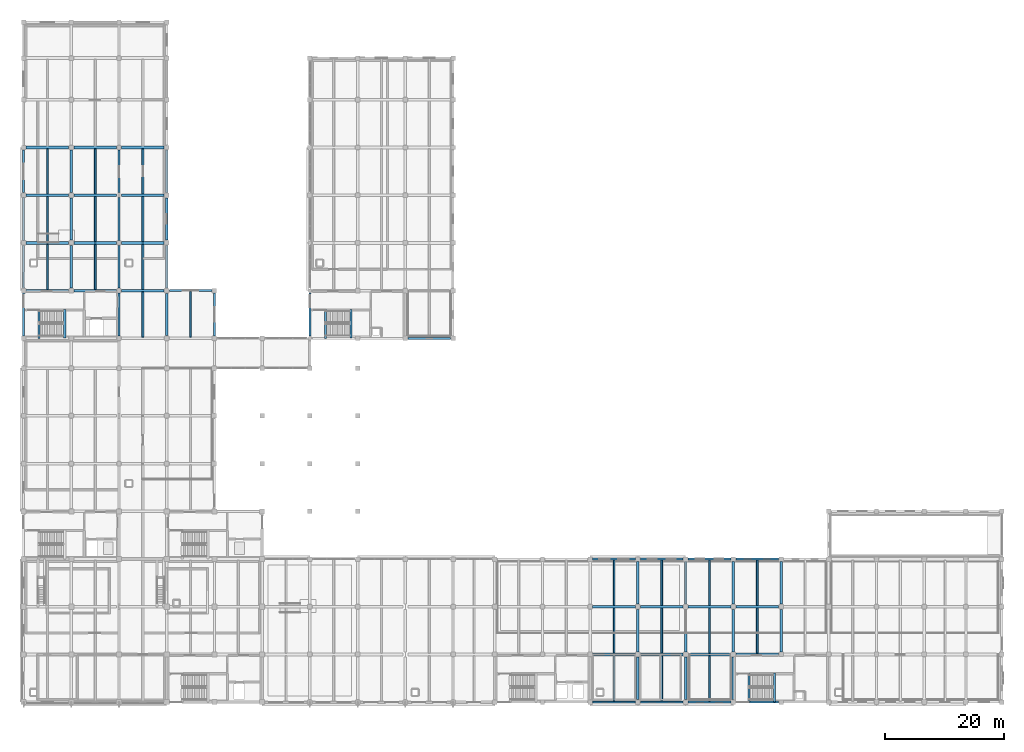
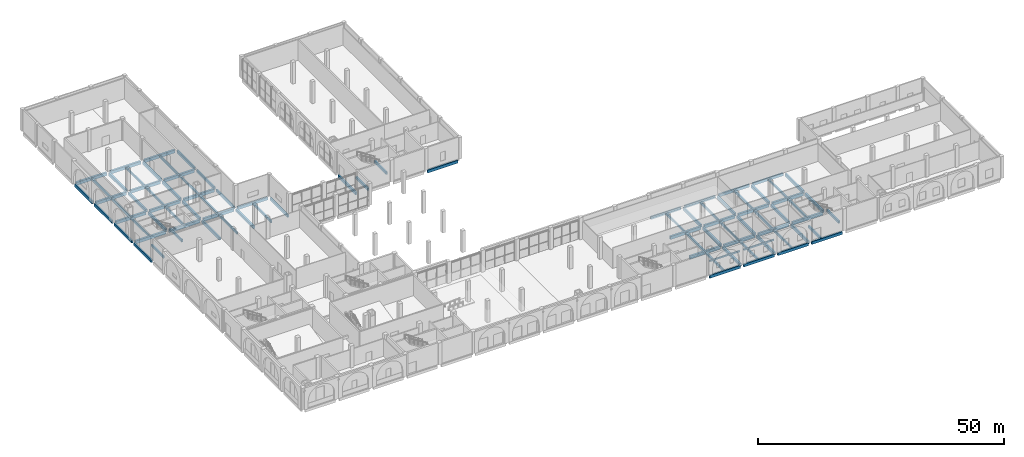
# One storey, part 8 of 40: 88 beams.
"""IFC4 building model written with IfcOpenShell, lengths in metres."""

from ifc_helpers import new_model, si_unit, direction, frame, origin, origin_2d, place, context, subcontext, project, spatial, rectangle, extrude, material, material_profile, profile_set, type_object, element, save


model = new_model("IFC4")

# Units and contexts
model_context = context("Model", 3, precision=1e-05, world=origin(), true_north=direction((0.0, 1.0)))
body_context = subcontext(model_context, "Body", "Model", "MODEL_VIEW")
ifc_project = project(units=[si_unit("LENGTHUNIT", "METRE"), si_unit("AREAUNIT", "SQUARE_METRE"), si_unit("VOLUMEUNIT", "CUBIC_METRE"), si_unit("PLANEANGLEUNIT", "RADIAN"), si_unit("MASSUNIT", "GRAM", prefix="KILO")], contexts=[model_context])

# Site, building, storey
site_placement = place(None, origin())
site = spatial("IfcSite", under=ifc_project, at=site_placement, CompositionType="ELEMENT")
building_placement = place(site_placement, origin())
building = spatial("IfcBuilding", under=site, at=building_placement, Name="Qorikala Patio Media Centre", CompositionType="ELEMENT")
storey_placement = place(building_placement, origin())
storey = spatial("IfcBuildingStorey", under=building, at=storey_placement, Name="L00", CompositionType="ELEMENT", Elevation=0.0)

# Beams
ifc_material_1 = material(Name="Concrete C35/45", Category="concrete")
ifc_material_profile_1 = material_profile(ifc_material_1, rectangle(XDim=0.35009765625, YDim=0.60009765625, at=origin_2d()), Name="RC 350x600")
ifc_profile_set_1 = profile_set([ifc_material_profile_1], Name="Concrete C35/45")
beam_type_1 = type_object("IfcBeamType", Name="BM-G350X600", PredefinedType="BEAM", material=ifc_profile_set_1)
beam_1_placement = place(storey_placement, frame((5.60009765625, 64.0, -0.300048828125), z_axis=(0.0, 1.0, 0.0), x_axis=(-1.0, 0.0, 0.0)))
element("IfcBeam", 1, at=beam_1_placement, inside=storey, type_object=beam_type_1, Name="L00 ST-3 Well Trimmer Beam", PredefinedType="BEAM", context=body_context, shape_type="SweptSolid", body=[
    extrude(rectangle(XDim=0.35009765625, YDim=0.60009765625, at=origin_2d()), origin(), (0.0, 0.0, 1.0), 4.8798828125),
])
beam_2_placement = place(storey_placement, frame((9.909912109375, 64.02001953125, 2.199951171875), z_axis=(0.0, 1.0, 0.0), x_axis=(-1.0, 0.0, 0.0)))
element("IfcBeam", 2, at=beam_2_placement, inside=storey, type_object=beam_type_1, Name="L00 ST-3 Landing Beam 1", PredefinedType="BEAM", context=body_context, shape_type="SweptSolid", body=[
    extrude(rectangle(XDim=0.35009765625, YDim=0.60009765625, at=origin_2d()), origin(), (0.0, 0.0, 1.0), 4.85986328125),
])
beam_3_placement = place(storey_placement, frame((53.60009765625, 64.0, -0.300048828125), z_axis=(0.0, 1.0, 0.0), x_axis=(-1.0, 0.0, 0.0)))
element("IfcBeam", 3, at=beam_3_placement, inside=storey, type_object=beam_type_1, Name="L00 ST-6 Well Trimmer Beam", PredefinedType="BEAM", context=body_context, shape_type="SweptSolid", body=[
    extrude(rectangle(XDim=0.35009765625, YDim=0.60009765625, at=origin_2d()), origin(), (0.0, 0.0, 1.0), 4.8798828125),
])
beam_4_placement = place(storey_placement, frame((57.909912109375, 64.02001953125, 2.199951171875), z_axis=(0.0, 1.0, 0.0), x_axis=(-1.0, 0.0, 0.0)))
element("IfcBeam", 4, at=beam_4_placement, inside=storey, type_object=beam_type_1, Name="L00 ST-6 Landing Beam 1", PredefinedType="BEAM", context=body_context, shape_type="SweptSolid", body=[
    extrude(rectangle(XDim=0.35009765625, YDim=0.60009765625, at=origin_2d()), origin(), (0.0, 0.0, 1.0), 4.85986328125),
])
beam_5_placement = place(storey_placement, frame((124.60009765625, 3.0, -0.300048828125), z_axis=(0.0, 1.0, 0.0), x_axis=(-1.0, 0.0, 0.0)))
element("IfcBeam", 5, at=beam_5_placement, inside=storey, type_object=beam_type_1, Name="L00 ST-7 Well Trimmer Beam", PredefinedType="BEAM", context=body_context, shape_type="SweptSolid", body=[
    extrude(rectangle(XDim=0.35009765625, YDim=0.60009765625, at=origin_2d()), origin(), (0.0, 0.0, 1.0), 4.8798828125),
])
beam_6_placement = place(storey_placement, frame((128.909912109375, 3.02001953125, 2.199951171875), z_axis=(0.0, 1.0, 0.0), x_axis=(-1.0, 0.0, 0.0)))
element("IfcBeam", 6, at=beam_6_placement, inside=storey, type_object=beam_type_1, Name="L00 ST-7 Landing Beam 1", PredefinedType="BEAM", context=body_context, shape_type="SweptSolid", body=[
    extrude(rectangle(XDim=0.35009765625, YDim=0.60009765625, at=origin_2d()), origin(), (0.0, 0.0, 1.0), 4.85986328125),
])
ifc_material_profile_2 = material_profile(ifc_material_1, rectangle(XDim=0.39990234375, YDim=0.699951171875, at=origin_2d()), Name="RC 400x700")
ifc_profile_set_2 = profile_set([ifc_material_profile_2], Name="Concrete C35/45")
beam_type_2 = type_object("IfcBeamType", Name="BM-G400X700", PredefinedType="BEAM", material=ifc_profile_set_2)
for number, where, z_axis, x_axis, name in (
    (7, (11.0, 72.449951171875, -0.64990234375), (0.0, 1.0, 0.0), (-1.0, 0.0, 0.0), "L00 Grid X=11 Beam 0179"),
    (8, (11.0, 80.449951171875, -0.64990234375), (0.0, 1.0, 0.0), (-1.0, 0.0, 0.0), "L00 Grid X=11 Beam 0180"),
    (9, (11.0, 88.449951171875, -0.64990234375), (0.0, 1.0, 0.0), (-1.0, 0.0, 0.0), "L00 Grid X=11 Beam 0181"),
):
    element("IfcBeam", number, at=place(storey_placement, frame(where, z_axis=z_axis, x_axis=x_axis)), inside=storey, type_object=beam_type_2, Name=name, PredefinedType="BEAM", context=body_context, shape_type="SweptSolid", body=[
        extrude(rectangle(XDim=0.39990234375, YDim=0.699951171875, at=origin_2d()), origin(), (0.0, 0.0, 1.0), 7.10009765625),
    ])
for number, where, z_axis, x_axis, name in (
    (10, (19.0, 64.425048828125, -0.64990234375), (0.0, 1.0, 0.0), (-1.0, 0.0, 0.0), "L00 Grid X=19 Beam 0193"),
    (11, (19.0, 72.425048828125, -0.64990234375), (0.0, 1.0, 0.0), (-1.0, 0.0, 0.0), "L00 Grid X=19 Beam 0194"),
    (12, (19.0, 80.425048828125, -0.64990234375), (0.0, 1.0, 0.0), (-1.0, 0.0, 0.0), "L00 Grid X=19 Beam 0195"),
    (13, (19.0, 88.425048828125, -0.64990234375), (0.0, 1.0, 0.0), (-1.0, 0.0, 0.0), "L00 Grid X=19 Beam 0196"),
):
    element("IfcBeam", number, at=place(storey_placement, frame(where, z_axis=z_axis, x_axis=x_axis)), inside=storey, type_object=beam_type_2, Name=name, PredefinedType="BEAM", context=body_context, shape_type="SweptSolid", body=[
        extrude(rectangle(XDim=0.39990234375, YDim=0.699951171875, at=origin_2d()), origin(), (0.0, 0.0, 1.0), 7.14990234375),
    ])
beam_7_placement = place(storey_placement, frame((27.0, 64.449951171875, -0.64990234375), z_axis=(0.0, 1.0, 0.0), x_axis=(-1.0, 0.0, 0.0)))
element("IfcBeam", 14, at=beam_7_placement, inside=storey, type_object=beam_type_2, Name="L00 Grid X=27 Beam 0208", PredefinedType="BEAM", context=body_context, shape_type="SweptSolid", body=[
    extrude(rectangle(XDim=0.39990234375, YDim=0.699951171875, at=origin_2d()), origin(), (0.0, 0.0, 1.0), 7.10009765625),
])
for number, where, z_axis, x_axis, name in (
    (15, (106.0, 3.425048828125, -0.64990234375), (0.0, 1.0, 0.0), (-1.0, 0.0, 0.0), "L00 Grid X=106 Beam 0271"),
    (16, (106.0, 11.425048828125, -0.64990234375), (0.0, 1.0, 0.0), (-1.0, 0.0, 0.0), "L00 Grid X=106 Beam 0272"),
    (17, (106.0, 19.425048828125, -0.64990234375), (0.0, 1.0, 0.0), (-1.0, 0.0, 0.0), "L00 Grid X=106 Beam 0273"),
    (18, (114.0, 3.425048828125, -0.64990234375), (0.0, 1.0, 0.0), (-1.0, 0.0, 0.0), "L00 Grid X=114 Beam 0274"),
    (19, (114.0, 11.425048828125, -0.64990234375), (0.0, 1.0, 0.0), (-1.0, 0.0, 0.0), "L00 Grid X=114 Beam 0275"),
    (20, (114.0, 19.425048828125, -0.64990234375), (0.0, 1.0, 0.0), (-1.0, 0.0, 0.0), "L00 Grid X=114 Beam 0276"),
    (21, (122.0, 3.425048828125, -0.64990234375), (0.0, 1.0, 0.0), (-1.0, 0.0, 0.0), "L00 Grid X=122 Beam 0277"),
    (22, (122.0, 11.425048828125, -0.64990234375), (0.0, 1.0, 0.0), (-1.0, 0.0, 0.0), "L00 Grid X=122 Beam 0278"),
    (23, (122.0, 19.425048828125, -0.64990234375), (0.0, 1.0, 0.0), (-1.0, 0.0, 0.0), "L00 Grid X=122 Beam 0279"),
    (24, (130.0, 11.425048828125, -0.64990234375), (0.0, 1.0, 0.0), (-1.0, 0.0, 0.0), "L00 Grid X=130 Beam 0280"),
    (25, (130.0, 19.425048828125, -0.64990234375), (0.0, 1.0, 0.0), (-1.0, 0.0, 0.0), "L00 Grid X=130 Beam 0281"),
):
    element("IfcBeam", number, at=place(storey_placement, frame(where, z_axis=z_axis, x_axis=x_axis)), inside=storey, type_object=beam_type_2, Name=name, PredefinedType="BEAM", context=body_context, shape_type="SweptSolid", body=[
        extrude(rectangle(XDim=0.39990234375, YDim=0.699951171875, at=origin_2d()), origin(), (0.0, 0.0, 1.0), 7.14990234375),
    ])
ifc_material_profile_3 = material_profile(ifc_material_1, rectangle(XDim=0.449951171875, YDim=0.75, at=origin_2d()), Name="RC 450x750")
ifc_profile_set_3 = profile_set([ifc_material_profile_3], Name="Concrete C35/45")
beam_type_3 = type_object("IfcBeamType", Name="BM-G450X750", PredefinedType="BEAM", material=ifc_profile_set_3)
for number, where, z_axis, x_axis, name in (
    (26, (98.425048828125, 11.0, -0.675048828125), (1.0, 0.0, 0.0), (0.0, 1.0, 0.0), "L00 Grid 11 Beam 0034"),
    (27, (106.425048828125, 11.0, -0.675048828125), (1.0, 0.0, 0.0), (0.0, 1.0, 0.0), "L00 Grid 11 Beam 0035"),
    (28, (114.425048828125, 11.0, -0.675048828125), (1.0, 0.0, 0.0), (0.0, 1.0, 0.0), "L00 Grid 11 Beam 0036"),
    (29, (122.425048828125, 11.0, -0.675048828125), (1.0, 0.0, 0.0), (0.0, 1.0, 0.0), "L00 Grid 11 Beam 0037"),
    (30, (98.425048828125, 19.0, -0.675048828125), (1.0, 0.0, 0.0), (0.0, 1.0, 0.0), "L00 Grid 19 Beam 0055"),
    (31, (106.425048828125, 19.0, -0.675048828125), (1.0, 0.0, 0.0), (0.0, 1.0, 0.0), "L00 Grid 19 Beam 0056"),
    (32, (114.425048828125, 19.0, -0.675048828125), (1.0, 0.0, 0.0), (0.0, 1.0, 0.0), "L00 Grid 19 Beam 0057"),
    (33, (122.425048828125, 19.0, -0.675048828125), (1.0, 0.0, 0.0), (0.0, 1.0, 0.0), "L00 Grid 19 Beam 0058"),
):
    element("IfcBeam", number, at=place(storey_placement, frame(where, z_axis=z_axis, x_axis=x_axis)), inside=storey, type_object=beam_type_3, Name=name, PredefinedType="BEAM", context=body_context, shape_type="SweptSolid", body=[
        extrude(rectangle(XDim=0.449951171875, YDim=0.75, at=origin_2d()), origin(), (0.0, 0.0, 1.0), 7.14990234375),
    ])
for number, where, z_axis, x_axis, name in (
    (34, (3.425048828125, 72.0, -0.675048828125), (1.0, 0.0, 0.0), (0.0, 1.0, 0.0), "L00 Grid 72 Beam 0117"),
    (35, (11.449951171875, 72.0, -0.675048828125), (1.0, 0.0, 0.0), (0.0, 1.0, 0.0), "L00 Grid 72 Beam 0118"),
    (36, (19.425048828125, 72.0, -0.675048828125), (1.0, 0.0, 0.0), (0.0, 1.0, 0.0), "L00 Grid 72 Beam 0119"),
    (37, (3.425048828125, 80.0, -0.675048828125), (1.0, 0.0, 0.0), (0.0, 1.0, 0.0), "L00 Grid 80 Beam 0124"),
    (38, (11.449951171875, 80.0, -0.675048828125), (1.0, 0.0, 0.0), (0.0, 1.0, 0.0), "L00 Grid 80 Beam 0125"),
    (39, (19.425048828125, 80.0, -0.675048828125), (1.0, 0.0, 0.0), (0.0, 1.0, 0.0), "L00 Grid 80 Beam 0126"),
    (40, (3.425048828125, 88.0, -0.675048828125), (1.0, 0.0, 0.0), (0.0, 1.0, 0.0), "L00 Grid 88 Beam 0130"),
    (41, (11.449951171875, 88.0, -0.675048828125), (1.0, 0.0, 0.0), (0.0, 1.0, 0.0), "L00 Grid 88 Beam 0131"),
    (42, (19.425048828125, 88.0, -0.675048828125), (1.0, 0.0, 0.0), (0.0, 1.0, 0.0), "L00 Grid 88 Beam 0132"),
    (43, (3.425048828125, 96.0, -0.675048828125), (1.0, 0.0, 0.0), (0.0, 1.0, 0.0), "L00 Grid 96 Beam 0136"),
    (44, (11.449951171875, 96.0, -0.675048828125), (1.0, 0.0, 0.0), (0.0, 1.0, 0.0), "L00 Grid 96 Beam 0137"),
    (45, (19.425048828125, 96.0, -0.675048828125), (1.0, 0.0, 0.0), (0.0, 1.0, 0.0), "L00 Grid 96 Beam 0138"),
):
    element("IfcBeam", number, at=place(storey_placement, frame(where, z_axis=z_axis, x_axis=x_axis)), inside=storey, type_object=beam_type_3, Name=name, PredefinedType="BEAM", context=body_context, shape_type="SweptSolid", body=[
        extrude(rectangle(XDim=0.449951171875, YDim=0.75, at=origin_2d()), origin(), (0.0, 0.0, 1.0), 7.125),
    ])
ifc_material_profile_4 = material_profile(ifc_material_1, rectangle(XDim=0.300048828125, YDim=0.550048828125, at=origin_2d()), Name="RC 300x550")
ifc_profile_set_4 = profile_set([ifc_material_profile_4], Name="Concrete C35/45")
beam_type_4 = type_object("IfcBeamType", Name="JS-300X550", PredefinedType="JOIST", material=ifc_profile_set_4)
for number, where, z_axis, x_axis, name in (
    (46, (7.0, 72.22509765625, -0.574951171875), (0.0, 1.0, 0.0), (-1.0, 0.0, 0.0), "L00 Secondary Joist 0305"),
    (47, (7.0, 80.22509765625, -0.574951171875), (0.0, 1.0, 0.0), (-1.0, 0.0, 0.0), "L00 Secondary Joist 0306"),
    (48, (7.0, 88.22509765625, -0.574951171875), (0.0, 1.0, 0.0), (-1.0, 0.0, 0.0), "L00 Secondary Joist 0307"),
    (49, (15.0, 72.22509765625, -0.574951171875), (0.0, 1.0, 0.0), (-1.0, 0.0, 0.0), "L00 Secondary Joist 0316"),
    (50, (15.0, 80.22509765625, -0.574951171875), (0.0, 1.0, 0.0), (-1.0, 0.0, 0.0), "L00 Secondary Joist 0317"),
    (51, (15.0, 88.22509765625, -0.574951171875), (0.0, 1.0, 0.0), (-1.0, 0.0, 0.0), "L00 Secondary Joist 0318"),
    (52, (23.0, 64.22509765625, -0.574951171875), (0.0, 1.0, 0.0), (-1.0, 0.0, 0.0), "L00 Secondary Joist 0328"),
    (53, (23.0, 72.22509765625, -0.574951171875), (0.0, 1.0, 0.0), (-1.0, 0.0, 0.0), "L00 Secondary Joist 0329"),
    (54, (23.0, 80.22509765625, -0.574951171875), (0.0, 1.0, 0.0), (-1.0, 0.0, 0.0), "L00 Secondary Joist 0330"),
    (55, (23.0, 88.22509765625, -0.574951171875), (0.0, 1.0, 0.0), (-1.0, 0.0, 0.0), "L00 Secondary Joist 0331"),
):
    element("IfcBeam", number, at=place(storey_placement, frame(where, z_axis=z_axis, x_axis=x_axis)), inside=storey, type_object=beam_type_4, Name=name, PredefinedType="JOIST", context=body_context, shape_type="SweptSolid", body=[
        extrude(rectangle(XDim=0.300048828125, YDim=0.550048828125, at=origin_2d()), origin(), (0.0, 0.0, 1.0), 7.5498046875),
    ])
for number, where, z_axis, x_axis, name in (
    (56, (31.0, 64.22509765625, -0.574951171875), (0.0, 1.0, 0.0), (-1.0, 0.0, 0.0), "L00 Secondary Joist 0339"),
    (57, (102.0, 3.175048828125, -0.574951171875), (0.0, 1.0, 0.0), (-1.0, 0.0, 0.0), "L00 Secondary Joist 0377"),
):
    element("IfcBeam", number, at=place(storey_placement, frame(where, z_axis=z_axis, x_axis=x_axis)), inside=storey, type_object=beam_type_4, Name=name, PredefinedType="JOIST", context=body_context, shape_type="SweptSolid", body=[
        extrude(rectangle(XDim=0.300048828125, YDim=0.550048828125, at=origin_2d()), origin(), (0.0, 0.0, 1.0), 7.599853515625),
    ])
beam_8_placement = place(storey_placement, frame((102.0, 11.22509765625, -0.574951171875), z_axis=(0.0, 1.0, 0.0), x_axis=(-1.0, 0.0, 0.0)))
element("IfcBeam", 58, at=beam_8_placement, inside=storey, type_object=beam_type_4, Name="L00 Secondary Joist 0378", PredefinedType="JOIST", context=body_context, shape_type="SweptSolid", body=[
    extrude(rectangle(XDim=0.300048828125, YDim=0.550048828125, at=origin_2d()), origin(), (0.0, 0.0, 1.0), 7.5498046875),
])
for number, where, z_axis, x_axis, name in (
    (59, (102.0, 19.22509765625, -0.574951171875), (0.0, 1.0, 0.0), (-1.0, 0.0, 0.0), "L00 Secondary Joist 0379"),
    (60, (110.0, 3.175048828125, -0.574951171875), (0.0, 1.0, 0.0), (-1.0, 0.0, 0.0), "L00 Secondary Joist 0380"),
):
    element("IfcBeam", number, at=place(storey_placement, frame(where, z_axis=z_axis, x_axis=x_axis)), inside=storey, type_object=beam_type_4, Name=name, PredefinedType="JOIST", context=body_context, shape_type="SweptSolid", body=[
        extrude(rectangle(XDim=0.300048828125, YDim=0.550048828125, at=origin_2d()), origin(), (0.0, 0.0, 1.0), 7.599853515625),
    ])
beam_9_placement = place(storey_placement, frame((110.0, 11.22509765625, -0.574951171875), z_axis=(0.0, 1.0, 0.0), x_axis=(-1.0, 0.0, 0.0)))
element("IfcBeam", 61, at=beam_9_placement, inside=storey, type_object=beam_type_4, Name="L00 Secondary Joist 0381", PredefinedType="JOIST", context=body_context, shape_type="SweptSolid", body=[
    extrude(rectangle(XDim=0.300048828125, YDim=0.550048828125, at=origin_2d()), origin(), (0.0, 0.0, 1.0), 7.5498046875),
])
for number, where, z_axis, x_axis, name in (
    (62, (110.0, 19.22509765625, -0.574951171875), (0.0, 1.0, 0.0), (-1.0, 0.0, 0.0), "L00 Secondary Joist 0382"),
    (63, (118.0, 3.175048828125, -0.574951171875), (0.0, 1.0, 0.0), (-1.0, 0.0, 0.0), "L00 Secondary Joist 0383"),
):
    element("IfcBeam", number, at=place(storey_placement, frame(where, z_axis=z_axis, x_axis=x_axis)), inside=storey, type_object=beam_type_4, Name=name, PredefinedType="JOIST", context=body_context, shape_type="SweptSolid", body=[
        extrude(rectangle(XDim=0.300048828125, YDim=0.550048828125, at=origin_2d()), origin(), (0.0, 0.0, 1.0), 7.599853515625),
    ])
beam_10_placement = place(storey_placement, frame((118.0, 11.22509765625, -0.574951171875), z_axis=(0.0, 1.0, 0.0), x_axis=(-1.0, 0.0, 0.0)))
element("IfcBeam", 64, at=beam_10_placement, inside=storey, type_object=beam_type_4, Name="L00 Secondary Joist 0384", PredefinedType="JOIST", context=body_context, shape_type="SweptSolid", body=[
    extrude(rectangle(XDim=0.300048828125, YDim=0.550048828125, at=origin_2d()), origin(), (0.0, 0.0, 1.0), 7.5498046875),
])
beam_11_placement = place(storey_placement, frame((118.0, 19.22509765625, -0.574951171875), z_axis=(0.0, 1.0, 0.0), x_axis=(-1.0, 0.0, 0.0)))
element("IfcBeam", 65, at=beam_11_placement, inside=storey, type_object=beam_type_4, Name="L00 Secondary Joist 0385", PredefinedType="JOIST", context=body_context, shape_type="SweptSolid", body=[
    extrude(rectangle(XDim=0.300048828125, YDim=0.550048828125, at=origin_2d()), origin(), (0.0, 0.0, 1.0), 7.599853515625),
])
beam_12_placement = place(storey_placement, frame((126.0, 11.22509765625, -0.574951171875), z_axis=(0.0, 1.0, 0.0), x_axis=(-1.0, 0.0, 0.0)))
element("IfcBeam", 66, at=beam_12_placement, inside=storey, type_object=beam_type_4, Name="L00 Secondary Joist 0386", PredefinedType="JOIST", context=body_context, shape_type="SweptSolid", body=[
    extrude(rectangle(XDim=0.300048828125, YDim=0.550048828125, at=origin_2d()), origin(), (0.0, 0.0, 1.0), 7.5498046875),
])
beam_13_placement = place(storey_placement, frame((126.0, 19.22509765625, -0.574951171875), z_axis=(0.0, 1.0, 0.0), x_axis=(-1.0, 0.0, 0.0)))
element("IfcBeam", 67, at=beam_13_placement, inside=storey, type_object=beam_type_4, Name="L00 Secondary Joist 0387", PredefinedType="JOIST", context=body_context, shape_type="SweptSolid", body=[
    extrude(rectangle(XDim=0.300048828125, YDim=0.550048828125, at=origin_2d()), origin(), (0.0, 0.0, 1.0), 7.599853515625),
])
ifc_material_2 = material(Name="Precast concrete C40/50", Category="concrete")
ifc_material_profile_5 = material_profile(ifc_material_2, rectangle(XDim=0.260009765625, YDim=0.360107421875, at=origin_2d()), Name="RC 260x360")
ifc_profile_set_5 = profile_set([ifc_material_profile_5], Name="Precast concrete C40/50")
beam_type_5 = type_object("IfcBeamType", Name="LN-260X360", PredefinedType="LINTEL", material=ifc_profile_set_5)
for number, where, z_axis, x_axis, name in (
    (68, (98.449951171875, 3.0, 3.22998046875), (1.0, 0.0, 0.0), (0.0, 1.0, 0.0), "L00 Precast Arcade Lintel 07"),
    (69, (106.449951171875, 3.0, 3.22998046875), (1.0, 0.0, 0.0), (0.0, 1.0, 0.0), "L00 Precast Arcade Lintel 08"),
):
    element("IfcBeam", number, at=place(storey_placement, frame(where, z_axis=z_axis, x_axis=x_axis)), inside=storey, type_object=beam_type_5, Name=name, PredefinedType="LINTEL", context=body_context, shape_type="SweptSolid", body=[
        extrude(rectangle(XDim=0.260009765625, YDim=0.360107421875, at=origin_2d()), origin(), (0.0, 0.0, 1.0), 7.10009765625),
    ])
ifc_material_profile_6 = material_profile(ifc_material_1, rectangle(XDim=0.35009765625, YDim=0.679931640625, at=origin_2d()), Name="RC 350x680")
ifc_profile_set_6 = profile_set([ifc_material_profile_6], Name="Concrete C35/45")
beam_type_6 = type_object("IfcBeamType", Name="SP-350X680", PredefinedType="SPANDREL", material=ifc_profile_set_6)
for number, where, z_axis, x_axis, name in (
    (70, (98.425048828125, 3.0, -0.639892578125), (1.0, 0.0, 0.0), (0.0, 1.0, 0.0), "L00 Grid 3 Beam 0013"),
    (71, (106.425048828125, 3.0, -0.639892578125), (1.0, 0.0, 0.0), (0.0, 1.0, 0.0), "L00 Grid 3 Beam 0014"),
    (72, (114.425048828125, 3.0, -0.639892578125), (1.0, 0.0, 0.0), (0.0, 1.0, 0.0), "L00 Grid 3 Beam 0015"),
    (73, (122.425048828125, 3.0, -0.639892578125), (1.0, 0.0, 0.0), (0.0, 1.0, 0.0), "L00 Grid 3 Beam 0016"),
    (74, (98.425048828125, 27.0, -0.639892578125), (1.0, 0.0, 0.0), (0.0, 1.0, 0.0), "L00 Grid 27 Beam 0076"),
    (75, (106.425048828125, 27.0, -0.639892578125), (1.0, 0.0, 0.0), (0.0, 1.0, 0.0), "L00 Grid 27 Beam 0077"),
    (76, (114.425048828125, 27.0, -0.639892578125), (1.0, 0.0, 0.0), (0.0, 1.0, 0.0), "L00 Grid 27 Beam 0078"),
    (77, (122.425048828125, 27.0, -0.639892578125), (1.0, 0.0, 0.0), (0.0, 1.0, 0.0), "L00 Grid 27 Beam 0079"),
    (78, (67.425048828125, 64.0, -0.639892578125), (1.0, 0.0, 0.0), (0.0, 1.0, 0.0), "L00 Grid 64 Beam 0116"),
):
    element("IfcBeam", number, at=place(storey_placement, frame(where, z_axis=z_axis, x_axis=x_axis)), inside=storey, type_object=beam_type_6, Name=name, PredefinedType="SPANDREL", context=body_context, shape_type="SweptSolid", body=[
        extrude(rectangle(XDim=0.35009765625, YDim=0.679931640625, at=origin_2d()), origin(), (0.0, 0.0, 1.0), 7.14990234375),
    ])
beam_14_placement = place(storey_placement, frame((27.449951171875, 72.0, -0.639892578125), z_axis=(1.0, 0.0, 0.0), x_axis=(0.0, 1.0, 0.0)))
element("IfcBeam", 79, at=beam_14_placement, inside=storey, type_object=beam_type_6, Name="L00 Grid 72 Beam 0120", PredefinedType="SPANDREL", context=body_context, shape_type="SweptSolid", body=[
    extrude(rectangle(XDim=0.35009765625, YDim=0.679931640625, at=origin_2d()), origin(), (0.0, 0.0, 1.0), 7.125),
])
for number, where, z_axis, x_axis, name in (
    (80, (3.0, 64.425048828125, -0.639892578125), (0.0, 1.0, 0.0), (-1.0, 0.0, 0.0), "L00 Grid X=3 Beam 0165"),
    (81, (3.0, 72.425048828125, -0.639892578125), (0.0, 1.0, 0.0), (-1.0, 0.0, 0.0), "L00 Grid X=3 Beam 0166"),
    (82, (3.0, 80.425048828125, -0.639892578125), (0.0, 1.0, 0.0), (-1.0, 0.0, 0.0), "L00 Grid X=3 Beam 0167"),
    (83, (3.0, 88.425048828125, -0.639892578125), (0.0, 1.0, 0.0), (-1.0, 0.0, 0.0), "L00 Grid X=3 Beam 0168"),
):
    element("IfcBeam", number, at=place(storey_placement, frame(where, z_axis=z_axis, x_axis=x_axis)), inside=storey, type_object=beam_type_6, Name=name, PredefinedType="SPANDREL", context=body_context, shape_type="SweptSolid", body=[
        extrude(rectangle(XDim=0.35009765625, YDim=0.679931640625, at=origin_2d()), origin(), (0.0, 0.0, 1.0), 7.14990234375),
    ])
for number, where, z_axis, x_axis, name in (
    (84, (27.0, 72.449951171875, -0.639892578125), (0.0, 1.0, 0.0), (-1.0, 0.0, 0.0), "L00 Grid X=27 Beam 0209"),
    (85, (27.0, 80.449951171875, -0.639892578125), (0.0, 1.0, 0.0), (-1.0, 0.0, 0.0), "L00 Grid X=27 Beam 0210"),
    (86, (27.0, 88.449951171875, -0.639892578125), (0.0, 1.0, 0.0), (-1.0, 0.0, 0.0), "L00 Grid X=27 Beam 0211"),
):
    element("IfcBeam", number, at=place(storey_placement, frame(where, z_axis=z_axis, x_axis=x_axis)), inside=storey, type_object=beam_type_6, Name=name, PredefinedType="SPANDREL", context=body_context, shape_type="SweptSolid", body=[
        extrude(rectangle(XDim=0.35009765625, YDim=0.679931640625, at=origin_2d()), origin(), (0.0, 0.0, 1.0), 7.10009765625),
    ])
for number, where, z_axis, x_axis, name in (
    (87, (35.0, 64.425048828125, -0.639892578125), (0.0, 1.0, 0.0), (-1.0, 0.0, 0.0), "L00 Grid X=35 Beam 0221"),
    (88, (51.0, 64.425048828125, -0.639892578125), (0.0, 1.0, 0.0), (-1.0, 0.0, 0.0), "L00 Grid X=51 Beam 0231"),
):
    element("IfcBeam", number, at=place(storey_placement, frame(where, z_axis=z_axis, x_axis=x_axis)), inside=storey, type_object=beam_type_6, Name=name, PredefinedType="SPANDREL", context=body_context, shape_type="SweptSolid", body=[
        extrude(rectangle(XDim=0.35009765625, YDim=0.679931640625, at=origin_2d()), origin(), (0.0, 0.0, 1.0), 7.14990234375),
    ])

save(model, "model.ifc")
